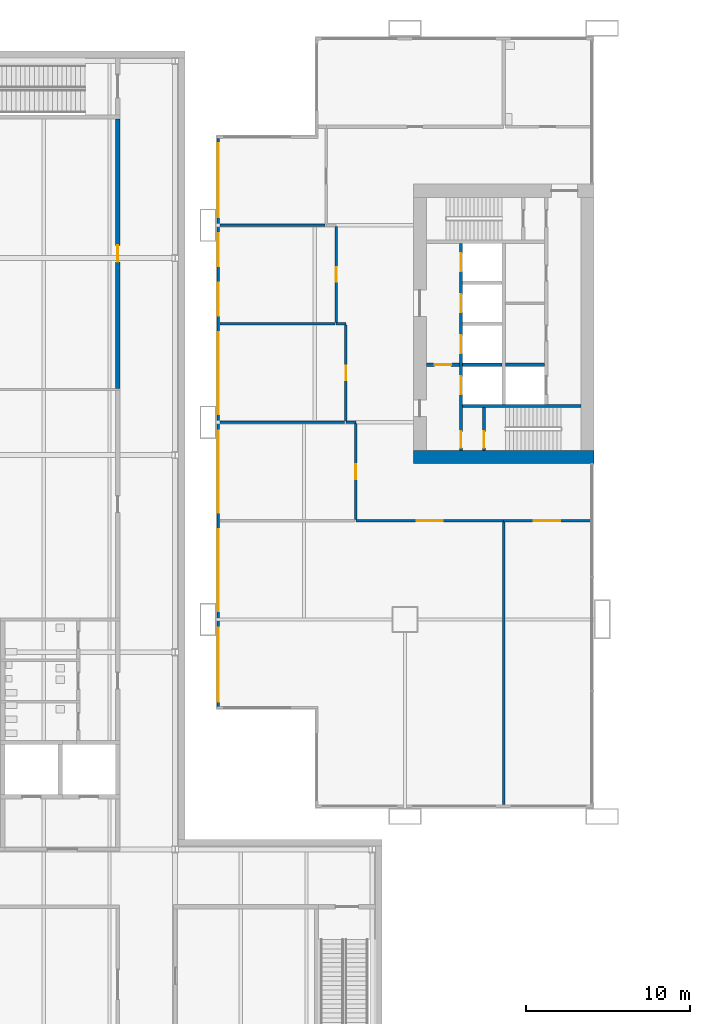
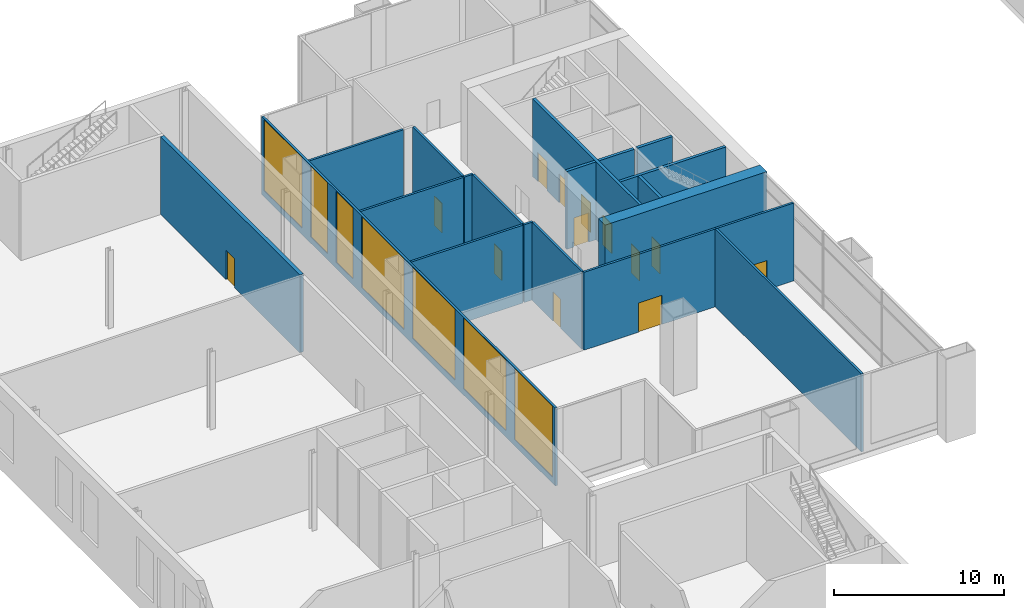
# One storey, part 18 of 25: 20 walls, 13 doors, 7 windows, 20 openings.
"""IFC4 building model written with IfcOpenShell, lengths in metres."""

from ifc_helpers import new_model, si_unit, direction, frame, frame_2d, origin, place, context, subcontext, project, spatial, rectangle, extrude, material, layer, layer_set, type_object, element, fill, save


model = new_model("IFC4")

# Units and contexts
model_context = context("Model", 3, precision=1e-05, world=origin(), true_north=direction((0.0, 1.0)))
body_context = subcontext(model_context, "Body", "Model", "MODEL_VIEW")
ifc_project = project(units=[si_unit("LENGTHUNIT", "METRE"), si_unit("AREAUNIT", "SQUARE_METRE"), si_unit("VOLUMEUNIT", "CUBIC_METRE"), si_unit("PLANEANGLEUNIT", "RADIAN"), si_unit("MASSUNIT", "GRAM", prefix="KILO")], contexts=[model_context])

# Site, building, storey
site_placement = place(None, origin())
site = spatial("IfcSite", under=ifc_project, at=site_placement, CompositionType="ELEMENT")
building_placement = place(site_placement, origin())
building = spatial("IfcBuilding", under=site, at=building_placement, Name="Kitamizu Gate Tower and Museum", CompositionType="ELEMENT")
storey_placement = place(building_placement, frame((0.0, 0.0, 18.0)))
storey = spatial("IfcBuildingStorey", under=building, at=storey_placement, Name="L03", CompositionType="ELEMENT", Elevation=18.0)

# Wall
ifc_material_1 = material(Name="Concrete Fc60", Category="concrete")
ifc_layer_1 = layer(ifc_material_1, 0.800048828125)
ifc_layer_set_1 = layer_set([ifc_layer_1], Name="Concrete Fc60")
wall_type_1 = type_object("IfcWallType", Name="Core wall 800", PredefinedType="SHEAR", material=ifc_layer_set_1)
wall_1_placement = place(storey_placement, frame((12.5, 21.89990234375, 0.0), z_axis=(0.0, 0.0, 1.0), x_axis=(1.0, 0.0, 0.0)))
element("IfcWall", 1, at=wall_1_placement, inside=storey, type_object=wall_type_1, Name="Core wall WS", PredefinedType="SHEAR", context=body_context, shape_type="SweptSolid", body=[
    extrude(rectangle(XDim=11.0, YDim=0.800048828125, at=frame_2d((5.5, 0.0))), origin(), (0.0, 0.0, 1.0), 5.60009765625),
])

# Wall, opening, door
ifc_material_2 = material(Name="Gypsum board on galvanised stud")
ifc_layer_2 = layer(ifc_material_2, 0.25)
ifc_layer_set_2 = layer_set([ifc_layer_2], Name="Gypsum board on galvanised stud")
wall_type_2 = type_object("IfcWallType", Name="Museum fire rated partition 250", PredefinedType="PARTITIONING", material=ifc_layer_set_2)
wall_2_placement = place(storey_placement, frame((-5.5, 26.074951171875, 0.0), z_axis=(0.0, 0.0, 1.0), x_axis=(0.0, 1.0, 0.0)))
wall_2 = element("IfcWall", 2, at=wall_2_placement, inside=storey, type_object=wall_type_2, Name="Fire-rated partition L03.14.1", PredefinedType="PARTITIONING", context=body_context, shape_type="SweptSolid", body=[
    extrude(rectangle(XDim=16.400146484375, YDim=0.25, at=frame_2d((8.2001953125, 0.0))), origin(), (0.0, 0.0, 1.0), 5.60009765625),
])
opening_1_placement = place(wall_2_placement, frame((7.699951171875, 0.0, 0.0)))
opening_1 = element("IfcOpeningElement", 3, at=opening_1_placement, cuts=wall_2, Name="Opening MUS-L03-016", PredefinedType="OPENING", context=body_context, shape_type="SweptSolid", body=[
    extrude(rectangle(XDim=1.0, YDim=2.10009765625, at=frame_2d((0.5, 1.050048828125))), frame((0.0, 0.135009765625, 0.0), z_axis=(0.0, -1.0, 0.0), x_axis=(1.0, 0.0, 0.0)), (0.0, 0.0, 1.0), 0.27001953125),
])
ifc_material_3 = material(Name="Timber leaf in hollow metal frame", Category="wood")
door_type_1 = type_object("IfcDoorType", Name="Museum door 1000x2100 FD60", OperationType="NOTDEFINED", PredefinedType="DOOR", material=ifc_material_3)
door_1_placement = place(opening_1_placement, origin())
door_1 = element("IfcDoor", 4, at=door_1_placement, inside=storey, type_object=door_type_1, Name="Door Staff offices", OperationType="SINGLE_SWING_LEFT", OverallHeight=2.10009765625, OverallWidth=1.0, PredefinedType="DOOR", context=body_context, shape_type="SweptSolid", body=[
    extrude(rectangle(XDim=1.0, YDim=2.10009765625, at=frame_2d((0.5, 1.050048828125))), frame((0.0, 0.02490234375, 0.0), z_axis=(0.0, -1.0, 0.0), x_axis=(1.0, 0.0, 0.0)), (0.0, 0.0, 1.0), 0.050048828125),
])
fill(opening_1, door_1)

ifc_material_4 = material(Name="Gypsum board on galvanised stud")
ifc_layer_3 = layer(ifc_material_4, 0.14990234375)
ifc_layer_set_3 = layer_set([ifc_layer_3], Name="Gypsum board on galvanised stud")
wall_type_3 = type_object("IfcWallType", Name="Partition 150", PredefinedType="PARTITIONING", material=ifc_layer_set_3)
wall_3_placement = place(storey_placement, frame((9.0, 18.0, 0.0), z_axis=(0.0, 0.0, 1.0), x_axis=(1.0, 0.0, 0.0)))
wall_3 = element("IfcWall", 5, at=wall_3_placement, inside=storey, type_object=wall_type_3, Name="Partition L03-001", PredefinedType="PARTITIONING", context=body_context, shape_type="SweptSolid", body=[
    extrude(rectangle(XDim=9.0, YDim=0.14990234375, at=frame_2d((4.5, 0.0))), origin(), (0.0, 0.0, 1.0), 5.60009765625),
])
opening_2_placement = place(wall_3_placement, frame((3.699951171875, 0.0, 0.0)))
opening_2 = element("IfcOpeningElement", 6, at=opening_2_placement, cuts=wall_3, Name="Opening L03-010", PredefinedType="OPENING", context=body_context, shape_type="SweptSolid", body=[
    extrude(rectangle(XDim=1.60009765625, YDim=2.10009765625, at=frame_2d((0.800048828125, 1.050048828125))), frame((0.0, 0.0849609375, 0.0), z_axis=(0.0, -1.0, 0.0), x_axis=(1.0, 0.0, 0.0)), (0.0, 0.0, 1.0), 0.169921875),
])
ifc_material_5 = material(Name="Timber door set", Category="wood")
door_type_2 = type_object("IfcDoorType", Name="Double door 1600", OperationType="DOUBLE_DOOR_SINGLE_SWING", PredefinedType="DOOR", material=ifc_material_5)
door_2_placement = place(opening_2_placement, origin())
door_2 = element("IfcDoor", 7, at=door_2_placement, inside=storey, type_object=door_type_2, Name="Double door L03-010", OperationType="DOUBLE_DOOR_SINGLE_SWING", OverallHeight=2.10009765625, OverallWidth=1.60009765625, PredefinedType="DOOR", context=body_context, shape_type="SweptSolid", body=[
    extrude(rectangle(XDim=1.60009765625, YDim=2.10009765625, at=frame_2d((0.800048828125, 1.050048828125))), frame((0.0, 0.02490234375, 0.0), z_axis=(0.0, -1.0, 0.0), x_axis=(1.0, 0.0, 0.0)), (0.0, 0.0, 1.0), 0.050048828125),
])
fill(opening_2, door_2)

wall_4_placement = place(storey_placement, frame((18.0, 18.0, 0.0), z_axis=(0.0, 0.0, 1.0), x_axis=(1.0, 0.0, 0.0)))
wall_4 = element("IfcWall", 8, at=wall_4_placement, inside=storey, type_object=wall_type_3, Name="Partition L03-002", PredefinedType="PARTITIONING", context=body_context, shape_type="SweptSolid", body=[
    extrude(rectangle(XDim=5.280029296875, YDim=0.14990234375, at=frame_2d((2.64013671875, 0.0))), origin(), (0.0, 0.0, 1.0), 5.60009765625),
])
opening_3_placement = place(wall_4_placement, frame((1.840087890625, 0.0, 0.0)))
opening_3 = element("IfcOpeningElement", 9, at=opening_3_placement, cuts=wall_4, Name="Opening L03-011", PredefinedType="OPENING", context=body_context, shape_type="SweptSolid", body=[
    extrude(rectangle(XDim=1.60009765625, YDim=2.10009765625, at=frame_2d((0.800048828125, 1.050048828125))), frame((0.0, 0.0849609375, 0.0), z_axis=(0.0, -1.0, 0.0), x_axis=(1.0, 0.0, 0.0)), (0.0, 0.0, 1.0), 0.169921875),
])
door_3_placement = place(opening_3_placement, origin())
door_3 = element("IfcDoor", 10, at=door_3_placement, inside=storey, type_object=door_type_2, Name="Double door L03-011", OperationType="DOUBLE_DOOR_SINGLE_SWING", OverallHeight=2.10009765625, OverallWidth=1.60009765625, PredefinedType="DOOR", context=body_context, shape_type="SweptSolid", body=[
    extrude(rectangle(XDim=1.60009765625, YDim=2.10009765625, at=frame_2d((0.800048828125, 1.050048828125))), frame((0.0, 0.02490234375, 0.0), z_axis=(0.0, -1.0, 0.0), x_axis=(1.0, 0.0, 0.0)), (0.0, 0.0, 1.0), 0.050048828125),
])
fill(opening_3, door_3)

# Wall
wall_5_placement = place(storey_placement, frame((8.39990234375, 24.0, 0.0), z_axis=(0.0, 0.0, 1.0), x_axis=(1.0, 0.0, 0.0)))
element("IfcWall", 11, at=wall_5_placement, inside=storey, type_object=wall_type_3, Name="Partition L03-003", PredefinedType="PARTITIONING", context=body_context, shape_type="SweptSolid", body=[
    extrude(rectangle(XDim=0.60009765625, YDim=0.14990234375, at=frame_2d((0.300048828125, 0.0))), origin(), (0.0, 0.0, 1.0), 5.60009765625),
])

# Wall, opening, door
wall_6_placement = place(storey_placement, frame((9.0, 23.925048828125, 0.0), z_axis=(0.0, 0.0, 1.0), x_axis=(0.0, -1.0, 0.0)))
wall_6 = element("IfcWall", 12, at=wall_6_placement, inside=storey, type_object=wall_type_3, Name="Partition L03-004", PredefinedType="PARTITIONING", context=body_context, shape_type="SweptSolid", body=[
    extrude(rectangle(XDim=5.85009765625, YDim=0.14990234375, at=frame_2d((2.925048828125, 0.0))), origin(), (0.0, 0.0, 1.0), 5.60009765625),
])
opening_4_placement = place(wall_6_placement, frame((2.47509765625, 0.0, 0.0)))
opening_4 = element("IfcOpeningElement", 13, at=opening_4_placement, cuts=wall_6, Name="Opening L03-012", PredefinedType="OPENING", context=body_context, shape_type="SweptSolid", body=[
    extrude(rectangle(XDim=0.89990234375, YDim=2.10009765625, at=frame_2d((0.449951171875, 1.050048828125))), frame((0.0, 0.0849609375, 0.0), z_axis=(0.0, -1.0, 0.0), x_axis=(1.0, 0.0, 0.0)), (0.0, 0.0, 1.0), 0.169921875),
])
ifc_material_6 = material(Name="Timber door set", Category="wood")
door_type_3 = type_object("IfcDoorType", Name="Room door 900", OperationType="NOTDEFINED", PredefinedType="DOOR", material=ifc_material_6)
door_4_placement = place(opening_4_placement, frame((0.89990234375, 0.0, 0.0), x_axis=(-1.0, 0.0, 0.0)))
door_4 = element("IfcDoor", 14, at=door_4_placement, inside=storey, type_object=door_type_3, Name="Door L03-012", OperationType="SINGLE_SWING_LEFT", OverallHeight=2.10009765625, OverallWidth=0.89990234375, PredefinedType="DOOR", context=body_context, shape_type="SweptSolid", body=[
    extrude(rectangle(XDim=0.89990234375, YDim=2.10009765625, at=frame_2d((0.449951171875, 1.050048828125))), frame((0.0, 0.02490234375, 0.0), z_axis=(0.0, -1.0, 0.0), x_axis=(1.0, 0.0, 0.0)), (0.0, 0.0, 1.0), 0.050048828125),
])
fill(opening_4, door_4)

# Wall
wall_7_placement = place(storey_placement, frame((7.800048828125, 30.0, 0.0), z_axis=(0.0, 0.0, 1.0), x_axis=(1.0, 0.0, 0.0)))
element("IfcWall", 15, at=wall_7_placement, inside=storey, type_object=wall_type_3, Name="Partition L03-005", PredefinedType="PARTITIONING", context=body_context, shape_type="SweptSolid", body=[
    extrude(rectangle(XDim=0.599853515625, YDim=0.14990234375, at=frame_2d((0.2998046875, 0.0))), origin(), (0.0, 0.0, 1.0), 5.60009765625),
])

# Wall, opening, door
wall_8_placement = place(storey_placement, frame((8.39990234375, 29.925048828125, 0.0), z_axis=(0.0, 0.0, 1.0), x_axis=(0.0, -1.0, 0.0)))
wall_8 = element("IfcWall", 16, at=wall_8_placement, inside=storey, type_object=wall_type_3, Name="Partition L03-006", PredefinedType="PARTITIONING", context=body_context, shape_type="SweptSolid", body=[
    extrude(rectangle(XDim=5.85009765625, YDim=0.14990234375, at=frame_2d((2.925048828125, 0.0))), origin(), (0.0, 0.0, 1.0), 5.60009765625),
])
opening_5_placement = place(wall_8_placement, frame((2.47509765625, 0.0, 0.0)))
opening_5 = element("IfcOpeningElement", 17, at=opening_5_placement, cuts=wall_8, Name="Opening L03-013", PredefinedType="OPENING", context=body_context, shape_type="SweptSolid", body=[
    extrude(rectangle(XDim=0.89990234375, YDim=2.10009765625, at=frame_2d((0.449951171875, 1.050048828125))), frame((0.0, 0.0849609375, 0.0), z_axis=(0.0, -1.0, 0.0), x_axis=(1.0, 0.0, 0.0)), (0.0, 0.0, 1.0), 0.169921875),
])
door_5_placement = place(opening_5_placement, frame((0.89990234375, 0.0, 0.0), x_axis=(-1.0, 0.0, 0.0)))
door_5 = element("IfcDoor", 18, at=door_5_placement, inside=storey, type_object=door_type_3, Name="Door L03-013", OperationType="SINGLE_SWING_RIGHT", OverallHeight=2.10009765625, OverallWidth=0.89990234375, PredefinedType="DOOR", context=body_context, shape_type="SweptSolid", body=[
    extrude(rectangle(XDim=0.89990234375, YDim=2.10009765625, at=frame_2d((0.449951171875, 1.050048828125))), frame((0.0, 0.02490234375, 0.0), z_axis=(0.0, -1.0, 0.0), x_axis=(1.0, 0.0, 0.0)), (0.0, 0.0, 1.0), 0.050048828125),
])
fill(opening_5, door_5)

wall_9_placement = place(storey_placement, frame((7.800048828125, 35.925048828125, 0.0), z_axis=(0.0, 0.0, 1.0), x_axis=(0.0, -1.0, 0.0)))
wall_9 = element("IfcWall", 19, at=wall_9_placement, inside=storey, type_object=wall_type_3, Name="Partition L03-008", PredefinedType="PARTITIONING", context=body_context, shape_type="SweptSolid", body=[
    extrude(rectangle(XDim=5.85009765625, YDim=0.14990234375, at=frame_2d((2.925048828125, 0.0))), origin(), (0.0, 0.0, 1.0), 5.60009765625),
])
opening_6_placement = place(wall_9_placement, frame((2.47509765625, 0.0, 0.0)))
opening_6 = element("IfcOpeningElement", 20, at=opening_6_placement, cuts=wall_9, Name="Opening L03-014", PredefinedType="OPENING", context=body_context, shape_type="SweptSolid", body=[
    extrude(rectangle(XDim=0.89990234375, YDim=2.10009765625, at=frame_2d((0.449951171875, 1.050048828125))), frame((0.0, 0.0849609375, 0.0), z_axis=(0.0, -1.0, 0.0), x_axis=(1.0, 0.0, 0.0)), (0.0, 0.0, 1.0), 0.169921875),
])
door_6_placement = place(opening_6_placement, frame((0.89990234375, 0.0, 0.0), x_axis=(-1.0, 0.0, 0.0)))
door_6 = element("IfcDoor", 21, at=door_6_placement, inside=storey, type_object=door_type_3, Name="Door L03-014", OperationType="SINGLE_SWING_LEFT", OverallHeight=2.10009765625, OverallWidth=0.89990234375, PredefinedType="DOOR", context=body_context, shape_type="SweptSolid", body=[
    extrude(rectangle(XDim=0.89990234375, YDim=2.10009765625, at=frame_2d((0.449951171875, 1.050048828125))), frame((0.0, 0.02490234375, 0.0), z_axis=(0.0, -1.0, 0.0), x_axis=(1.0, 0.0, 0.0)), (0.0, 0.0, 1.0), 0.050048828125),
])
fill(opening_6, door_6)

# Walls
wall_10_placement = place(storey_placement, frame((18.0, 0.719970703125, 0.0), z_axis=(0.0, 0.0, 1.0), x_axis=(0.0, 1.0, 0.0)))
element("IfcWall", 22, at=wall_10_placement, inside=storey, type_object=wall_type_3, Name="Partition L03-032", PredefinedType="PARTITIONING", context=body_context, shape_type="SweptSolid", body=[
    extrude(rectangle(XDim=17.205078125, YDim=0.14990234375, at=frame_2d((8.6025390625, 0.0))), origin(), (0.0, 0.0, 1.0), 5.60009765625),
])
wall_11_placement = place(storey_placement, frame((8.324951171875, 24.0, 0.0), z_axis=(0.0, 0.0, 1.0), x_axis=(-1.0, 0.0, 0.0)))
element("IfcWall", 23, at=wall_11_placement, inside=storey, type_object=wall_type_3, Name="Partition L03-034", PredefinedType="PARTITIONING", context=body_context, shape_type="SweptSolid", body=[
    extrude(rectangle(XDim=7.60498046875, YDim=0.14990234375, at=frame_2d((3.802490234375, 0.0))), origin(), (0.0, 0.0, 1.0), 5.60009765625),
])
wall_12_placement = place(storey_placement, frame((7.72509765625, 30.0, 0.0), z_axis=(0.0, 0.0, 1.0), x_axis=(-1.0, 0.0, 0.0)))
element("IfcWall", 24, at=wall_12_placement, inside=storey, type_object=wall_type_3, Name="Partition L03-035", PredefinedType="PARTITIONING", context=body_context, shape_type="SweptSolid", body=[
    extrude(rectangle(XDim=7.005126953125, YDim=0.14990234375, at=frame_2d((3.50244140625, 0.0))), origin(), (0.0, 0.0, 1.0), 5.60009765625),
])
wall_13_placement = place(storey_placement, frame((7.125, 36.0, 0.0), z_axis=(0.0, 0.0, 1.0), x_axis=(-1.0, 0.0, 0.0)))
element("IfcWall", 25, at=wall_13_placement, inside=storey, type_object=wall_type_3, Name="Partition L03-036", PredefinedType="PARTITIONING", context=body_context, shape_type="SweptSolid", body=[
    extrude(rectangle(XDim=6.405029296875, YDim=0.14990234375, at=frame_2d((3.20263671875, 0.0))), origin(), (0.0, 0.0, 1.0), 5.60009765625),
])

# Wall, openings, doors
ifc_material_7 = material(Name="Concrete Fc42", Category="concrete")
ifc_layer_4 = layer(ifc_material_7, 0.199951171875)
ifc_layer_set_4 = layer_set([ifc_layer_4], Name="Concrete Fc42")
wall_type_4 = type_object("IfcWallType", Name="Shaft wall 200", PredefinedType="SOLIDWALL", material=ifc_layer_set_4)
wall_14_placement = place(storey_placement, frame((15.39990234375, 22.300048828125, 0.0), z_axis=(0.0, 0.0, 1.0), x_axis=(0.0, 1.0, 0.0)))
wall_14 = element("IfcWall", 26, at=wall_14_placement, inside=storey, type_object=wall_type_4, Name="Shaft wall WWEST", PredefinedType="SOLIDWALL", context=body_context, shape_type="SweptSolid", body=[
    extrude(rectangle(XDim=12.599853515625, YDim=0.199951171875, at=frame_2d((6.2998046875, 0.0))), origin(), (0.0, 0.0, 1.0), 5.60009765625),
])
opening_7_placement = place(wall_14_placement, frame((3.39990234375, 0.0, 0.0)))
opening_7 = element("IfcOpeningElement", 27, at=opening_7_placement, cuts=wall_14, Name="Opening LD", PredefinedType="OPENING", context=body_context, shape_type="SweptSolid", body=[
    extrude(rectangle(XDim=1.10009765625, YDim=2.10009765625, at=frame_2d((0.550048828125, 1.050048828125))), frame((0.0, 0.10986328125, 0.0), z_axis=(0.0, -1.0, 0.0), x_axis=(1.0, 0.0, 0.0)), (0.0, 0.0, 1.0), 0.219970703125),
])
opening_8_placement = place(wall_14_placement, frame((5.89990234375, 0.0, 0.0)))
opening_8 = element("IfcOpeningElement", 28, at=opening_8_placement, cuts=wall_14, Name="Opening LD", PredefinedType="OPENING", context=body_context, shape_type="SweptSolid", body=[
    extrude(rectangle(XDim=1.10009765625, YDim=2.10009765625, at=frame_2d((0.550048828125, 1.050048828125))), frame((0.0, 0.10986328125, 0.0), z_axis=(0.0, -1.0, 0.0), x_axis=(1.0, 0.0, 0.0)), (0.0, 0.0, 1.0), 0.219970703125),
])
opening_9_placement = place(wall_14_placement, frame((8.39990234375, 0.0, 0.0)))
opening_9 = element("IfcOpeningElement", 29, at=opening_9_placement, cuts=wall_14, Name="Opening LD", PredefinedType="OPENING", context=body_context, shape_type="SweptSolid", body=[
    extrude(rectangle(XDim=1.10009765625, YDim=2.10009765625, at=frame_2d((0.550048828125, 1.050048828125))), frame((0.0, 0.10986328125, 0.0), z_axis=(0.0, -1.0, 0.0), x_axis=(1.0, 0.0, 0.0)), (0.0, 0.0, 1.0), 0.219970703125),
])
opening_10_placement = place(wall_14_placement, frame((10.89990234375, 0.0, 0.0)))
opening_10 = element("IfcOpeningElement", 30, at=opening_10_placement, cuts=wall_14, Name="Opening LD", PredefinedType="OPENING", context=body_context, shape_type="SweptSolid", body=[
    extrude(rectangle(XDim=1.10009765625, YDim=2.10009765625, at=frame_2d((0.550048828125, 1.050048828125))), frame((0.0, 0.10986328125, 0.0), z_axis=(0.0, -1.0, 0.0), x_axis=(1.0, 0.0, 0.0)), (0.0, 0.0, 1.0), 0.219970703125),
])
opening_11_placement = place(wall_14_placement, frame((0.14990234375, 0.0, 0.0)))
opening_11 = element("IfcOpeningElement", 31, at=opening_11_placement, cuts=wall_14, Name="Opening L03-019", PredefinedType="OPENING", context=body_context, shape_type="SweptSolid", body=[
    extrude(rectangle(XDim=1.0, YDim=2.10009765625, at=frame_2d((0.5, 1.050048828125))), frame((0.0, 0.10986328125, 0.0), z_axis=(0.0, -1.0, 0.0), x_axis=(1.0, 0.0, 0.0)), (0.0, 0.0, 1.0), 0.219970703125),
])
ifc_material_8 = material(Name="Hollow metal door set")
door_type_4 = type_object("IfcDoorType", Name="Fire door 1000", OperationType="NOTDEFINED", PredefinedType="DOOR", material=ifc_material_8)
door_7_placement = place(opening_11_placement, frame((1.0, 0.0, 0.0), x_axis=(-1.0, 0.0, 0.0)))
door_7 = element("IfcDoor", 32, at=door_7_placement, inside=storey, type_object=door_type_4, Name="Stair lobby door L03-019", OperationType="SINGLE_SWING_LEFT", OverallHeight=2.10009765625, OverallWidth=1.0, PredefinedType="DOOR", context=body_context, shape_type="SweptSolid", body=[
    extrude(rectangle(XDim=1.0, YDim=2.10009765625, at=frame_2d((0.5, 1.050048828125))), frame((0.0, 0.02490234375, 0.0), z_axis=(0.0, -1.0, 0.0), x_axis=(1.0, 0.0, 0.0)), (0.0, 0.0, 1.0), 0.050048828125),
])
fill(opening_11, door_7)
ifc_material_9 = material(Name="Hollow metal door set")
door_type_5 = type_object("IfcDoorType", Name="Landing door 1100", OperationType="SLIDING_TO_LEFT", PredefinedType="DOOR", material=ifc_material_9)
door_8_placement = place(opening_7_placement, origin())
door_8 = element("IfcDoor", 33, at=door_8_placement, inside=storey, type_object=door_type_5, Name="Landing door WFF1", OperationType="SLIDING_TO_LEFT", OverallHeight=2.10009765625, OverallWidth=1.10009765625, PredefinedType="DOOR", context=body_context, shape_type="SweptSolid", body=[
    extrude(rectangle(XDim=1.10009765625, YDim=2.10009765625, at=frame_2d((0.550048828125, 1.050048828125))), frame((0.0, 0.02490234375, 0.0), z_axis=(0.0, -1.0, 0.0), x_axis=(1.0, 0.0, 0.0)), (0.0, 0.0, 1.0), 0.050048828125),
])
fill(opening_7, door_8)
door_9_placement = place(opening_8_placement, origin())
door_9 = element("IfcDoor", 34, at=door_9_placement, inside=storey, type_object=door_type_5, Name="Landing door WL1", OperationType="SLIDING_TO_LEFT", OverallHeight=2.10009765625, OverallWidth=1.10009765625, PredefinedType="DOOR", context=body_context, shape_type="SweptSolid", body=[
    extrude(rectangle(XDim=1.10009765625, YDim=2.10009765625, at=frame_2d((0.550048828125, 1.050048828125))), frame((0.0, 0.02490234375, 0.0), z_axis=(0.0, -1.0, 0.0), x_axis=(1.0, 0.0, 0.0)), (0.0, 0.0, 1.0), 0.050048828125),
])
fill(opening_8, door_9)
door_10_placement = place(opening_9_placement, origin())
door_10 = element("IfcDoor", 35, at=door_10_placement, inside=storey, type_object=door_type_5, Name="Landing door WL2", OperationType="SLIDING_TO_LEFT", OverallHeight=2.10009765625, OverallWidth=1.10009765625, PredefinedType="DOOR", context=body_context, shape_type="SweptSolid", body=[
    extrude(rectangle(XDim=1.10009765625, YDim=2.10009765625, at=frame_2d((0.550048828125, 1.050048828125))), frame((0.0, 0.02490234375, 0.0), z_axis=(0.0, -1.0, 0.0), x_axis=(1.0, 0.0, 0.0)), (0.0, 0.0, 1.0), 0.050048828125),
])
fill(opening_9, door_10)
door_11_placement = place(opening_10_placement, origin())
door_11 = element("IfcDoor", 36, at=door_11_placement, inside=storey, type_object=door_type_5, Name="Landing door WL3", OperationType="SLIDING_TO_LEFT", OverallHeight=2.10009765625, OverallWidth=1.10009765625, PredefinedType="DOOR", context=body_context, shape_type="SweptSolid", body=[
    extrude(rectangle(XDim=1.10009765625, YDim=2.10009765625, at=frame_2d((0.550048828125, 1.050048828125))), frame((0.0, 0.02490234375, 0.0), z_axis=(0.0, -1.0, 0.0), x_axis=(1.0, 0.0, 0.0)), (0.0, 0.0, 1.0), 0.050048828125),
])
fill(opening_10, door_11)

# Wall
wall_15_placement = place(storey_placement, frame((15.5, 25.0, 0.0), z_axis=(0.0, 0.0, 1.0), x_axis=(1.0, 0.0, 0.0)))
element("IfcWall", 37, at=wall_15_placement, inside=storey, type_object=wall_type_4, Name="Shaft wall WSB", PredefinedType="SOLIDWALL", context=body_context, shape_type="SweptSolid", body=[
    extrude(rectangle(XDim=7.199951171875, YDim=0.199951171875, at=frame_2d((3.60009765625, 0.0))), origin(), (0.0, 0.0, 1.0), 5.60009765625),
])

# Wall, opening, door
wall_16_placement = place(storey_placement, frame((13.300048828125, 27.5, 0.0), z_axis=(0.0, 0.0, 1.0), x_axis=(1.0, 0.0, 0.0)))
wall_16 = element("IfcWall", 38, at=wall_16_placement, inside=storey, type_object=wall_type_4, Name="Shaft wall WFFN", PredefinedType="SOLIDWALL", context=body_context, shape_type="SweptSolid", body=[
    extrude(rectangle(XDim=2.0, YDim=0.199951171875, at=frame_2d((1.0, 0.0))), origin(), (0.0, 0.0, 1.0), 5.60009765625),
])
opening_12_placement = place(wall_16_placement, frame((0.5, 0.0, 0.0)))
opening_12 = element("IfcOpeningElement", 39, at=opening_12_placement, cuts=wall_16, Name="Opening L03-022", PredefinedType="OPENING", context=body_context, shape_type="SweptSolid", body=[
    extrude(rectangle(XDim=1.0, YDim=2.10009765625, at=frame_2d((0.5, 1.050048828125))), frame((0.0, 0.10986328125, 0.0), z_axis=(0.0, -1.0, 0.0), x_axis=(1.0, 0.0, 0.0)), (0.0, 0.0, 1.0), 0.219970703125),
])
door_12_placement = place(opening_12_placement, frame((1.0, 0.0, 0.0), x_axis=(-1.0, 0.0, 0.0)))
door_12 = element("IfcDoor", 40, at=door_12_placement, inside=storey, type_object=door_type_4, Name="Fire-fighting lobby door L03-022", OperationType="SINGLE_SWING_LEFT", OverallHeight=2.10009765625, OverallWidth=1.0, PredefinedType="DOOR", context=body_context, shape_type="SweptSolid", body=[
    extrude(rectangle(XDim=1.0, YDim=2.10009765625, at=frame_2d((0.5, 1.050048828125))), frame((0.0, 0.02490234375, 0.0), z_axis=(0.0, -1.0, 0.0), x_axis=(1.0, 0.0, 0.0)), (0.0, 0.0, 1.0), 0.050048828125),
])
fill(opening_12, door_12)

wall_17_placement = place(storey_placement, frame((16.800048828125, 22.300048828125, 0.0), z_axis=(0.0, 0.0, 1.0), x_axis=(0.0, 1.0, 0.0)))
wall_17 = element("IfcWall", 41, at=wall_17_placement, inside=storey, type_object=wall_type_4, Name="Shaft wall WSZ", PredefinedType="SOLIDWALL", context=body_context, shape_type="SweptSolid", body=[
    extrude(rectangle(XDim=2.599853515625, YDim=0.199951171875, at=frame_2d((1.2998046875, 0.0))), origin(), (0.0, 0.0, 1.0), 5.60009765625),
])
opening_13_placement = place(wall_17_placement, frame((0.14990234375, 0.0, 0.0)))
opening_13 = element("IfcOpeningElement", 42, at=opening_13_placement, cuts=wall_17, Name="Opening L03-018", PredefinedType="OPENING", context=body_context, shape_type="SweptSolid", body=[
    extrude(rectangle(XDim=1.0, YDim=2.10009765625, at=frame_2d((0.5, 1.050048828125))), frame((0.0, 0.10986328125, 0.0), z_axis=(0.0, -1.0, 0.0), x_axis=(1.0, 0.0, 0.0)), (0.0, 0.0, 1.0), 0.219970703125),
])
door_13_placement = place(opening_13_placement, frame((1.0, 0.0, 0.0), x_axis=(-1.0, 0.0, 0.0)))
door_13 = element("IfcDoor", 43, at=door_13_placement, inside=storey, type_object=door_type_4, Name="Stair door L03-018", OperationType="SINGLE_SWING_LEFT", OverallHeight=2.10009765625, OverallWidth=1.0, PredefinedType="DOOR", context=body_context, shape_type="SweptSolid", body=[
    extrude(rectangle(XDim=1.0, YDim=2.10009765625, at=frame_2d((0.5, 1.050048828125))), frame((0.0, 0.02490234375, 0.0), z_axis=(0.0, -1.0, 0.0), x_axis=(1.0, 0.0, 0.0)), (0.0, 0.0, 1.0), 0.050048828125),
])
fill(opening_13, door_13)

# Walls
for number, where, z_axis, x_axis, name in (
    (44, (15.5, 27.5, 0.0), (0.0, 0.0, 1.0), (1.0, 0.0, 0.0), "Shaft wall WDVW0"),
    (45, (18.10009765625, 27.5, 0.0), (0.0, 0.0, 1.0), (1.0, 0.0, 0.0), "Shaft wall WDVE0"),
):
    element("IfcWall", number, at=place(storey_placement, frame(where, z_axis=z_axis, x_axis=x_axis)), inside=storey, type_object=wall_type_4, Name=name, PredefinedType="SOLIDWALL", context=body_context, shape_type="SweptSolid", body=[
        extrude(rectangle(XDim=2.39990234375, YDim=0.199951171875, at=frame_2d((1.199951171875, 0.0))), origin(), (0.0, 0.0, 1.0), 5.60009765625),
    ])

# Wall, openings, windows
ifc_material_10 = material(Name="Bronze anodised aluminium frame with insulated spandrel and tinted glass", Category="aluminium")
ifc_layer_5 = layer(ifc_material_10, 0.14990234375)
ifc_layer_set_5 = layer_set([ifc_layer_5], Name="Bronze anodised aluminium frame with insulated spandrel and tinted glass")
wall_type_5 = type_object("IfcWallType", Name="WINDOW WALL 150 BRONZE FRAME EI 60", PredefinedType="ELEMENTEDWALL", material=ifc_layer_set_5)
wall_18_placement = place(storey_placement, frame((0.635009765625, 6.7099609375, 0.0), z_axis=(0.0, 0.0, 1.0), x_axis=(0.0, 1.0, 0.0)))
wall_18 = element("IfcWall", 46, at=wall_18_placement, inside=storey, type_object=wall_type_5, Name="Window wall west L03", PredefinedType="ELEMENTEDWALL", context=body_context, shape_type="SweptSolid", body=[
    extrude(rectangle(XDim=34.580078125, YDim=0.14990234375, at=frame_2d((17.2900390625, 0.0))), origin(), (0.0, 0.0, 1.0), 5.60009765625),
])
opening_14_placement = place(wall_18_placement, frame((0.2900390625, 0.0, 0.449951171875)))
opening_14 = element("IfcOpeningElement", 47, at=opening_14_placement, cuts=wall_18, Name="Opening W21", PredefinedType="OPENING", context=body_context, shape_type="SweptSolid", body=[
    extrude(rectangle(XDim=4.5, YDim=5.10009765625, at=frame_2d((2.25, 2.550048828125))), frame((0.0, 0.0849609375, 0.0), z_axis=(0.0, -1.0, 0.0), x_axis=(1.0, 0.0, 0.0)), (0.0, 0.0, 1.0), 0.169921875),
])
opening_15_placement = place(wall_18_placement, frame((5.7900390625, 0.0, 0.449951171875)))
opening_15 = element("IfcOpeningElement", 48, at=opening_15_placement, cuts=wall_18, Name="Opening W7", PredefinedType="OPENING", context=body_context, shape_type="SweptSolid", body=[
    extrude(rectangle(XDim=5.0, YDim=5.10009765625, at=frame_2d((2.5, 2.550048828125))), frame((0.0, 0.0849609375, 0.0), z_axis=(0.0, -1.0, 0.0), x_axis=(1.0, 0.0, 0.0)), (0.0, 0.0, 1.0), 0.169921875),
])
opening_16_placement = place(wall_18_placement, frame((11.7900390625, 0.0, 0.449951171875)))
opening_16 = element("IfcOpeningElement", 49, at=opening_16_placement, cuts=wall_18, Name="Opening W7", PredefinedType="OPENING", context=body_context, shape_type="SweptSolid", body=[
    extrude(rectangle(XDim=5.0, YDim=5.10009765625, at=frame_2d((2.5, 2.550048828125))), frame((0.0, 0.0849609375, 0.0), z_axis=(0.0, -1.0, 0.0), x_axis=(1.0, 0.0, 0.0)), (0.0, 0.0, 1.0), 0.169921875),
])
opening_17_placement = place(wall_18_placement, frame((17.7900390625, 0.0, 0.449951171875)))
opening_17 = element("IfcOpeningElement", 50, at=opening_17_placement, cuts=wall_18, Name="Opening W7", PredefinedType="OPENING", context=body_context, shape_type="SweptSolid", body=[
    extrude(rectangle(XDim=5.0, YDim=5.10009765625, at=frame_2d((2.5, 2.550048828125))), frame((0.0, 0.0849609375, 0.0), z_axis=(0.0, -1.0, 0.0), x_axis=(1.0, 0.0, 0.0)), (0.0, 0.0, 1.0), 0.169921875),
])
opening_18_placement = place(wall_18_placement, frame((23.7900390625, 0.0, 0.449951171875)))
opening_18 = element("IfcOpeningElement", 51, at=opening_18_placement, cuts=wall_18, Name="Opening W8", PredefinedType="OPENING", context=body_context, shape_type="SweptSolid", body=[
    extrude(rectangle(XDim=2.0, YDim=5.10009765625, at=frame_2d((1.0, 2.550048828125))), frame((0.0, 0.0849609375, 0.0), z_axis=(0.0, -1.0, 0.0), x_axis=(1.0, 0.0, 0.0)), (0.0, 0.0, 1.0), 0.169921875),
])
opening_19_placement = place(wall_18_placement, frame((26.7900390625, 0.0, 0.449951171875)))
opening_19 = element("IfcOpeningElement", 52, at=opening_19_placement, cuts=wall_18, Name="Opening W8", PredefinedType="OPENING", context=body_context, shape_type="SweptSolid", body=[
    extrude(rectangle(XDim=2.0, YDim=5.10009765625, at=frame_2d((1.0, 2.550048828125))), frame((0.0, 0.0849609375, 0.0), z_axis=(0.0, -1.0, 0.0), x_axis=(1.0, 0.0, 0.0)), (0.0, 0.0, 1.0), 0.169921875),
])
opening_20_placement = place(wall_18_placement, frame((29.7900390625, 0.0, 0.449951171875)))
opening_20 = element("IfcOpeningElement", 53, at=opening_20_placement, cuts=wall_18, Name="Opening W21", PredefinedType="OPENING", context=body_context, shape_type="SweptSolid", body=[
    extrude(rectangle(XDim=4.5, YDim=5.10009765625, at=frame_2d((2.25, 2.550048828125))), frame((0.0, 0.0849609375, 0.0), z_axis=(0.0, -1.0, 0.0), x_axis=(1.0, 0.0, 0.0)), (0.0, 0.0, 1.0), 0.169921875),
])
ifc_material_11 = material(Name="Bronze anodised aluminium frame, tinted triple glazing", Category="aluminium")
window_type_1 = type_object("IfcWindowType", Name="WINDOW 2000 x 5100 SILL 450", PartitioningType="SINGLE_PANEL", PredefinedType="WINDOW", material=ifc_material_11)
window_1_placement = place(opening_18_placement, origin())
window_1 = element("IfcWindow", 54, at=window_1_placement, inside=storey, type_object=window_type_1, Name="Window W8 L03", OverallHeight=5.10009765625, OverallWidth=2.0, PartitioningType="SINGLE_PANEL", PredefinedType="WINDOW", context=body_context, shape_type="SweptSolid", body=[
    extrude(rectangle(XDim=2.0, YDim=5.10009765625, at=frame_2d((1.0, 2.550048828125))), frame((0.0, 0.030029296875, 0.0), z_axis=(0.0, -1.0, 0.0), x_axis=(1.0, 0.0, 0.0)), (0.0, 0.0, 1.0), 0.06005859375),
])
fill(opening_18, window_1)
window_2_placement = place(opening_19_placement, origin())
window_2 = element("IfcWindow", 55, at=window_2_placement, inside=storey, type_object=window_type_1, Name="Window W8 L03", OverallHeight=5.10009765625, OverallWidth=2.0, PartitioningType="SINGLE_PANEL", PredefinedType="WINDOW", context=body_context, shape_type="SweptSolid", body=[
    extrude(rectangle(XDim=2.0, YDim=5.10009765625, at=frame_2d((1.0, 2.550048828125))), frame((0.0, 0.030029296875, 0.0), z_axis=(0.0, -1.0, 0.0), x_axis=(1.0, 0.0, 0.0)), (0.0, 0.0, 1.0), 0.06005859375),
])
fill(opening_19, window_2)
ifc_material_12 = material(Name="Bronze anodised aluminium frame, tinted triple glazing", Category="aluminium")
window_type_2 = type_object("IfcWindowType", Name="WINDOW 4500 x 5100 SILL 450", PartitioningType="SINGLE_PANEL", PredefinedType="WINDOW", material=ifc_material_12)
window_3_placement = place(opening_14_placement, origin())
window_3 = element("IfcWindow", 56, at=window_3_placement, inside=storey, type_object=window_type_2, Name="Window W21 L03", OverallHeight=5.10009765625, OverallWidth=4.5, PartitioningType="SINGLE_PANEL", PredefinedType="WINDOW", context=body_context, shape_type="SweptSolid", body=[
    extrude(rectangle(XDim=4.5, YDim=5.10009765625, at=frame_2d((2.25, 2.550048828125))), frame((0.0, 0.030029296875, 0.0), z_axis=(0.0, -1.0, 0.0), x_axis=(1.0, 0.0, 0.0)), (0.0, 0.0, 1.0), 0.06005859375),
])
fill(opening_14, window_3)
window_4_placement = place(opening_20_placement, origin())
window_4 = element("IfcWindow", 57, at=window_4_placement, inside=storey, type_object=window_type_2, Name="Window W21 L03", OverallHeight=5.10009765625, OverallWidth=4.5, PartitioningType="SINGLE_PANEL", PredefinedType="WINDOW", context=body_context, shape_type="SweptSolid", body=[
    extrude(rectangle(XDim=4.5, YDim=5.10009765625, at=frame_2d((2.25, 2.550048828125))), frame((0.0, 0.030029296875, 0.0), z_axis=(0.0, -1.0, 0.0), x_axis=(1.0, 0.0, 0.0)), (0.0, 0.0, 1.0), 0.06005859375),
])
fill(opening_20, window_4)
ifc_material_13 = material(Name="Bronze anodised aluminium frame, tinted triple glazing", Category="aluminium")
window_type_3 = type_object("IfcWindowType", Name="WINDOW 5000 x 5100 SILL 450", PartitioningType="SINGLE_PANEL", PredefinedType="WINDOW", material=ifc_material_13)
window_5_placement = place(opening_15_placement, origin())
window_5 = element("IfcWindow", 58, at=window_5_placement, inside=storey, type_object=window_type_3, Name="Window W7 L03", OverallHeight=5.10009765625, OverallWidth=5.0, PartitioningType="SINGLE_PANEL", PredefinedType="WINDOW", context=body_context, shape_type="SweptSolid", body=[
    extrude(rectangle(XDim=5.0, YDim=5.10009765625, at=frame_2d((2.5, 2.550048828125))), frame((0.0, 0.030029296875, 0.0), z_axis=(0.0, -1.0, 0.0), x_axis=(1.0, 0.0, 0.0)), (0.0, 0.0, 1.0), 0.06005859375),
])
fill(opening_15, window_5)
window_6_placement = place(opening_16_placement, origin())
window_6 = element("IfcWindow", 59, at=window_6_placement, inside=storey, type_object=window_type_3, Name="Window W7 L03", OverallHeight=5.10009765625, OverallWidth=5.0, PartitioningType="SINGLE_PANEL", PredefinedType="WINDOW", context=body_context, shape_type="SweptSolid", body=[
    extrude(rectangle(XDim=5.0, YDim=5.10009765625, at=frame_2d((2.5, 2.550048828125))), frame((0.0, 0.030029296875, 0.0), z_axis=(0.0, -1.0, 0.0), x_axis=(1.0, 0.0, 0.0)), (0.0, 0.0, 1.0), 0.06005859375),
])
fill(opening_16, window_6)
window_7_placement = place(opening_17_placement, origin())
window_7 = element("IfcWindow", 60, at=window_7_placement, inside=storey, type_object=window_type_3, Name="Window W7 L03", OverallHeight=5.10009765625, OverallWidth=5.0, PartitioningType="SINGLE_PANEL", PredefinedType="WINDOW", context=body_context, shape_type="SweptSolid", body=[
    extrude(rectangle(XDim=5.0, YDim=5.10009765625, at=frame_2d((2.5, 2.550048828125))), frame((0.0, 0.030029296875, 0.0), z_axis=(0.0, -1.0, 0.0), x_axis=(1.0, 0.0, 0.0)), (0.0, 0.0, 1.0), 0.06005859375),
])
fill(opening_17, window_7)

save(model, "model.ifc")
